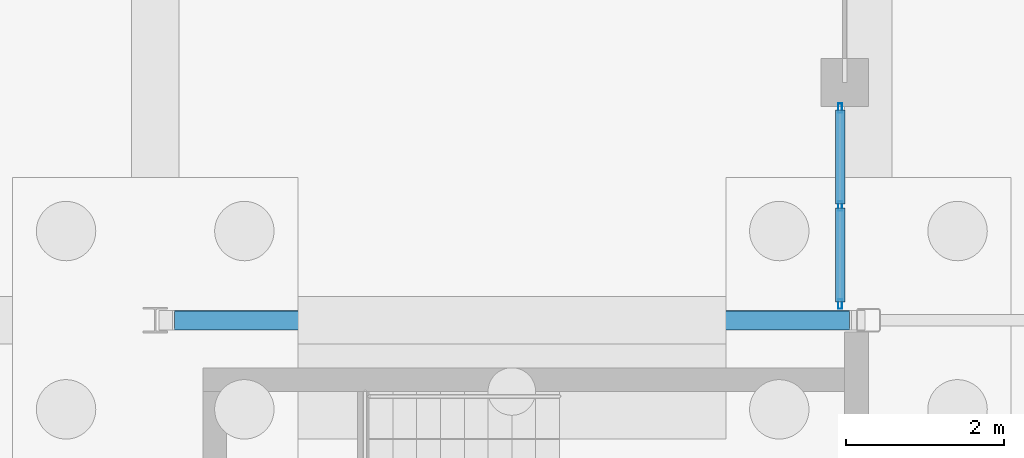
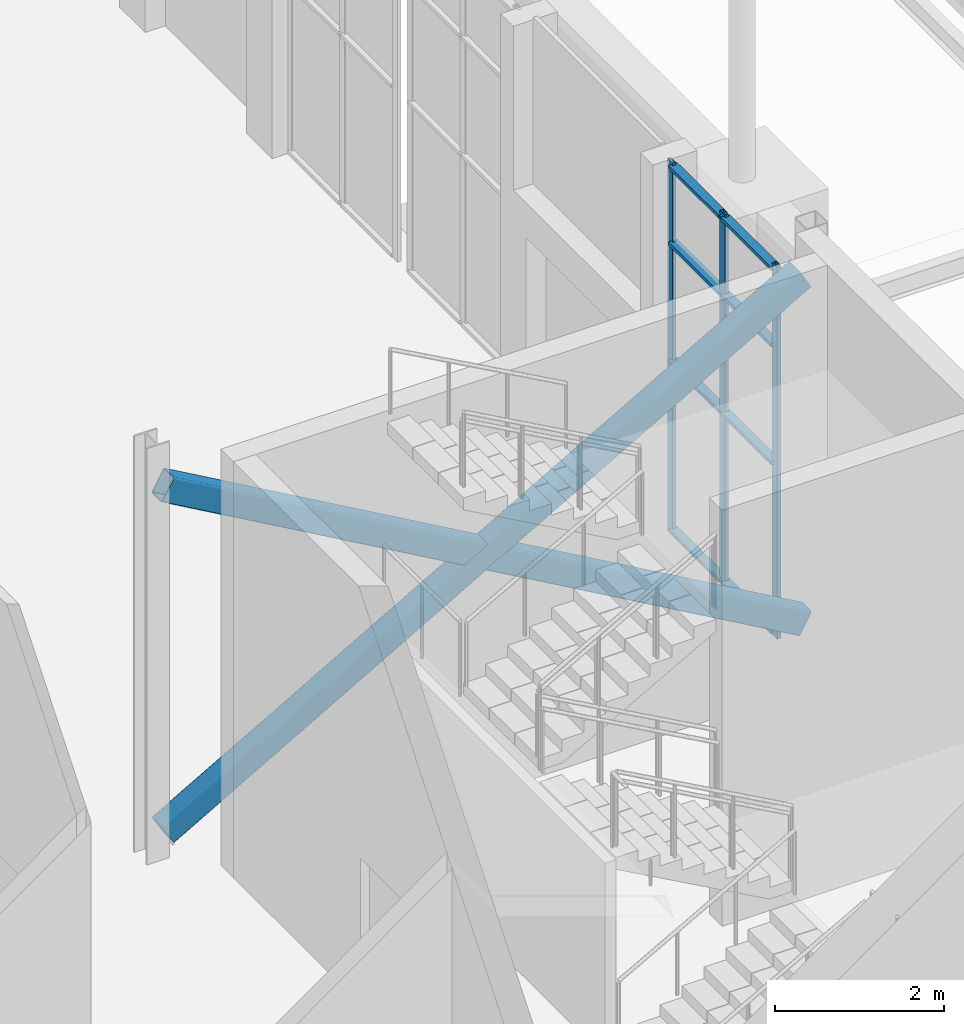
# One storey, part 85 of 139: 13 members, 1 element without a shape of its own.
"""IFC4 building model written with IfcOpenShell, lengths in metres."""

from ifc_helpers import new_model, si_unit, direction, frame, origin, origin_2d, place, context, subcontext, project, spatial, hollow_rectangle, extrude, material, layer, layer_set, material_profile, profile_set, type_object, element, aggregate, save


model = new_model("IFC4")

# Units and contexts
model_context = context("Model", 3, precision=1e-05, world=origin(), true_north=direction((0.0, 1.0)))
body_context = subcontext(model_context, "Body", "Model", "MODEL_VIEW")
ifc_project = project(units=[si_unit("LENGTHUNIT", "METRE"), si_unit("AREAUNIT", "SQUARE_METRE"), si_unit("VOLUMEUNIT", "CUBIC_METRE"), si_unit("PLANEANGLEUNIT", "RADIAN"), si_unit("MASSUNIT", "GRAM", prefix="KILO")], contexts=[model_context])

# Site, building, storey
site_placement = place(None, origin())
site = spatial("IfcSite", under=ifc_project, at=site_placement, CompositionType="ELEMENT")
building_placement = place(site_placement, origin())
building = spatial("IfcBuilding", under=site, at=building_placement, Name="Shorebreak Coast Museum", CompositionType="ELEMENT")
storey_placement = place(building_placement, origin())
storey = spatial("IfcBuildingStorey", under=building, at=storey_placement, Name="L00", CompositionType="ELEMENT", Elevation=0.0)

# Curtain wall, members
ifc_material_1 = material(Name="Aluminium", Category="aluminium")
ifc_layer = layer(ifc_material_1, 0.1201171875)
ifc_layer_set = layer_set([ifc_layer], Name="Aluminium")
curtain_wall_type = type_object("IfcCurtainWallType", Name="Entrance sidelight curtain wall", PredefinedType="NOTDEFINED", material=ifc_layer_set)
curtain_wall_placement = place(storey_placement, origin())
curtain_wall = element("IfcCurtainWall", 1, at=curtain_wall_placement, inside=storey, type_object=curtain_wall_type, Name="Entrance glazing ENT-E 11", PredefinedType="NOTDEFINED")
ifc_material_2 = material(Name="Aluminium", Category="aluminium")
ifc_material_profile_1 = material_profile(ifc_material_2, hollow_rectangle(XDim=0.050048828125, YDim=0.1201171875, WallThickness=0.0029296875, at=origin_2d()), Name="AL 120x50 RHS")
ifc_profile_set_1 = profile_set([ifc_material_profile_1], Name="Aluminium")
member_type_1 = type_object("IfcMemberType", Name="Entrance mullion 50 x 120", PredefinedType="MULLION", material=ifc_profile_set_1)
member_1_placement = place(storey_placement, frame((170.6416015625, 63.202880859375, 0.0), z_axis=(0.0, 0.0, 1.0), x_axis=(-1.0, 0.0, 0.0)))
member_1 = element("IfcMember", 2, at=member_1_placement, type_object=member_type_1, Name="CW2 mullion 1", PredefinedType="MULLION", context=body_context, shape_type="SweptSolid", body=[
    extrude(hollow_rectangle(XDim=0.050048828125, YDim=0.1201171875, WallThickness=0.0029296875, at=origin_2d()), origin(), (0.0, 0.0, 1.0), 5.364501953125),
])
member_2_placement = place(storey_placement, frame((170.6416015625, 64.43896484375, 0.0), z_axis=(0.0, 0.0, 1.0), x_axis=(-1.0, 0.0, 0.0)))
member_2 = element("IfcMember", 3, at=member_2_placement, type_object=member_type_1, Name="CW2 mullion 2", PredefinedType="MULLION", context=body_context, shape_type="SweptSolid", body=[
    extrude(hollow_rectangle(XDim=0.050048828125, YDim=0.1201171875, WallThickness=0.0029296875, at=origin_2d()), origin(), (0.0, 0.0, 1.0), 5.364501953125),
])
member_3_placement = place(storey_placement, frame((170.6416015625, 65.675048828125, 0.0), z_axis=(0.0, 0.0, 1.0), x_axis=(-1.0, 0.0, 0.0)))
member_3 = element("IfcMember", 4, at=member_3_placement, type_object=member_type_1, Name="CW2 mullion 3", PredefinedType="MULLION", context=body_context, shape_type="SweptSolid", body=[
    extrude(hollow_rectangle(XDim=0.050048828125, YDim=0.1201171875, WallThickness=0.0029296875, at=origin_2d()), origin(), (0.0, 0.0, 1.0), 5.364501953125),
])
ifc_material_3 = material(Name="Aluminium", Category="aluminium")
ifc_material_profile_2 = material_profile(ifc_material_3, hollow_rectangle(XDim=0.1201171875, YDim=0.050048828125, WallThickness=0.0029296875, at=origin_2d()), Name="AL 50x120 RHS")
ifc_profile_set_2 = profile_set([ifc_material_profile_2], Name="Aluminium")
member_type_2 = type_object("IfcMemberType", Name="Entrance transom 120 x 50", PredefinedType="USERDEFINED", material=ifc_profile_set_2)
member_4_placement = place(storey_placement, frame((170.6416015625, 63.22802734375, 0.06005859375), z_axis=(0.0, 1.0, 0.0), x_axis=(-1.0, 0.0, 0.0)))
member_4 = element("IfcMember", 5, at=member_4_placement, type_object=member_type_2, Name="CW2 transom 1.1", ObjectType="TRANSOM", PredefinedType="USERDEFINED", context=body_context, shape_type="SweptSolid", body=[
    extrude(hollow_rectangle(XDim=0.1201171875, YDim=0.050048828125, WallThickness=0.0029296875, at=origin_2d()), origin(), (0.0, 0.0, 1.0), 1.18603515625),
])
member_5_placement = place(storey_placement, frame((170.6416015625, 63.22802734375, 2.5), z_axis=(0.0, 1.0, 0.0), x_axis=(-1.0, 0.0, 0.0)))
member_5 = element("IfcMember", 6, at=member_5_placement, type_object=member_type_2, Name="CW2 transom 1.2", ObjectType="TRANSOM", PredefinedType="USERDEFINED", context=body_context, shape_type="SweptSolid", body=[
    extrude(hollow_rectangle(XDim=0.1201171875, YDim=0.050048828125, WallThickness=0.0029296875, at=origin_2d()), origin(), (0.0, 0.0, 1.0), 1.18603515625),
])
member_6_placement = place(storey_placement, frame((170.6416015625, 63.22802734375, 4.199951171875), z_axis=(0.0, 1.0, 0.0), x_axis=(-1.0, 0.0, 0.0)))
member_6 = element("IfcMember", 7, at=member_6_placement, type_object=member_type_2, Name="CW2 transom 1.3", ObjectType="TRANSOM", PredefinedType="USERDEFINED", context=body_context, shape_type="SweptSolid", body=[
    extrude(hollow_rectangle(XDim=0.1201171875, YDim=0.050048828125, WallThickness=0.0029296875, at=origin_2d()), origin(), (0.0, 0.0, 1.0), 1.18603515625),
])
member_7_placement = place(storey_placement, frame((170.6416015625, 63.22802734375, 5.3046875), z_axis=(0.0, 1.0, 0.0), x_axis=(-1.0, 0.0, 0.0)))
member_7 = element("IfcMember", 8, at=member_7_placement, type_object=member_type_2, Name="CW2 transom 1.4", ObjectType="TRANSOM", PredefinedType="USERDEFINED", context=body_context, shape_type="SweptSolid", body=[
    extrude(hollow_rectangle(XDim=0.1201171875, YDim=0.050048828125, WallThickness=0.0029296875, at=origin_2d()), origin(), (0.0, 0.0, 1.0), 1.18603515625),
])
member_8_placement = place(storey_placement, frame((170.6416015625, 64.464111328125, 0.06005859375), z_axis=(0.0, 1.0, 0.0), x_axis=(-1.0, 0.0, 0.0)))
member_8 = element("IfcMember", 9, at=member_8_placement, type_object=member_type_2, Name="CW2 transom 2.1", ObjectType="TRANSOM", PredefinedType="USERDEFINED", context=body_context, shape_type="SweptSolid", body=[
    extrude(hollow_rectangle(XDim=0.1201171875, YDim=0.050048828125, WallThickness=0.0029296875, at=origin_2d()), origin(), (0.0, 0.0, 1.0), 1.185791015625),
])
member_9_placement = place(storey_placement, frame((170.6416015625, 64.464111328125, 2.5), z_axis=(0.0, 1.0, 0.0), x_axis=(-1.0, 0.0, 0.0)))
member_9 = element("IfcMember", 10, at=member_9_placement, type_object=member_type_2, Name="CW2 transom 2.2", ObjectType="TRANSOM", PredefinedType="USERDEFINED", context=body_context, shape_type="SweptSolid", body=[
    extrude(hollow_rectangle(XDim=0.1201171875, YDim=0.050048828125, WallThickness=0.0029296875, at=origin_2d()), origin(), (0.0, 0.0, 1.0), 1.185791015625),
])
member_10_placement = place(storey_placement, frame((170.6416015625, 64.464111328125, 4.199951171875), z_axis=(0.0, 1.0, 0.0), x_axis=(-1.0, 0.0, 0.0)))
member_10 = element("IfcMember", 11, at=member_10_placement, type_object=member_type_2, Name="CW2 transom 2.3", ObjectType="TRANSOM", PredefinedType="USERDEFINED", context=body_context, shape_type="SweptSolid", body=[
    extrude(hollow_rectangle(XDim=0.1201171875, YDim=0.050048828125, WallThickness=0.0029296875, at=origin_2d()), origin(), (0.0, 0.0, 1.0), 1.185791015625),
])
member_11_placement = place(storey_placement, frame((170.6416015625, 64.464111328125, 5.3046875), z_axis=(0.0, 1.0, 0.0), x_axis=(-1.0, 0.0, 0.0)))
member_11 = element("IfcMember", 12, at=member_11_placement, type_object=member_type_2, Name="CW2 transom 2.4", ObjectType="TRANSOM", PredefinedType="USERDEFINED", context=body_context, shape_type="SweptSolid", body=[
    extrude(hollow_rectangle(XDim=0.1201171875, YDim=0.050048828125, WallThickness=0.0029296875, at=origin_2d()), origin(), (0.0, 0.0, 1.0), 1.185791015625),
])
aggregate(curtain_wall, [member_1, member_2, member_3, member_4, member_5, member_6, member_7, member_8, member_9, member_10, member_11])

# Members
ifc_material_4 = material(Name="Steel Grade C450L0", Category="steel")
ifc_material_profile_3 = material_profile(ifc_material_4, hollow_rectangle(XDim=0.25, YDim=0.35009765625, WallThickness=0.012451171875, InnerFilletRadius=0.018798828125, OuterFilletRadius=0.03125, at=origin_2d()), Name="350x250x12.5 RHS")
ifc_profile_set_3 = profile_set([ifc_material_profile_3], Name="Steel Grade C450L0")
member_type_3 = type_object("IfcMemberType", Name="X-brace 350x250x12.5 RHS", PredefinedType="BRACE", material=ifc_profile_set_3)
for number, where, z_axis, x_axis, name in (
    (13, (162.154541015625, 63.0, 0.300048828125), (0.86798657867, 0.0, 0.496587655152), (0.0, 1.0, 0.0), "X-brace bay 07 L00 diagonal 1"),
    (14, (170.85009765625, 63.0, 0.300048828125), (-0.86798657867, 0.0, 0.496587655152), (0.0, -1.0, 0.0), "X-brace bay 07 L00 diagonal 2"),
):
    element("IfcMember", number, at=place(storey_placement, frame(where, z_axis=z_axis, x_axis=x_axis)), inside=storey, type_object=member_type_3, Name=name, PredefinedType="BRACE", context=body_context, shape_type="SweptSolid", body=[
        extrude(hollow_rectangle(XDim=0.25, YDim=0.35009765625, WallThickness=0.012451171875, InnerFilletRadius=0.018798828125, OuterFilletRadius=0.03125, at=origin_2d()), origin(), (0.0, 0.0, 1.0), 10.01806640625),
    ])

save(model, "model.ifc")
